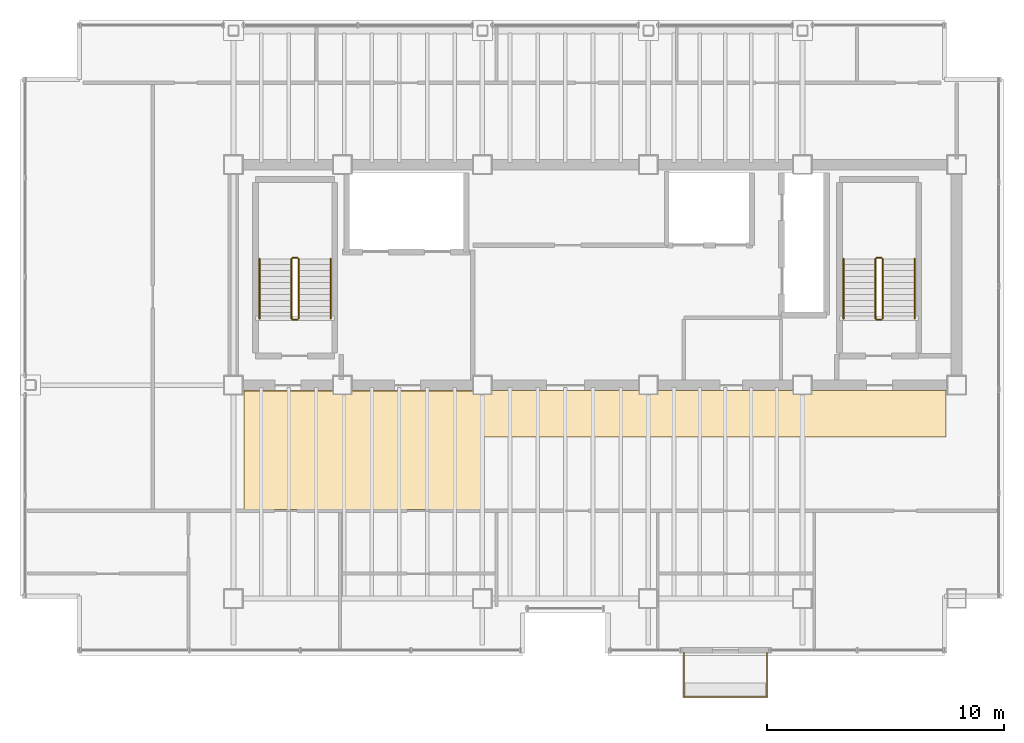
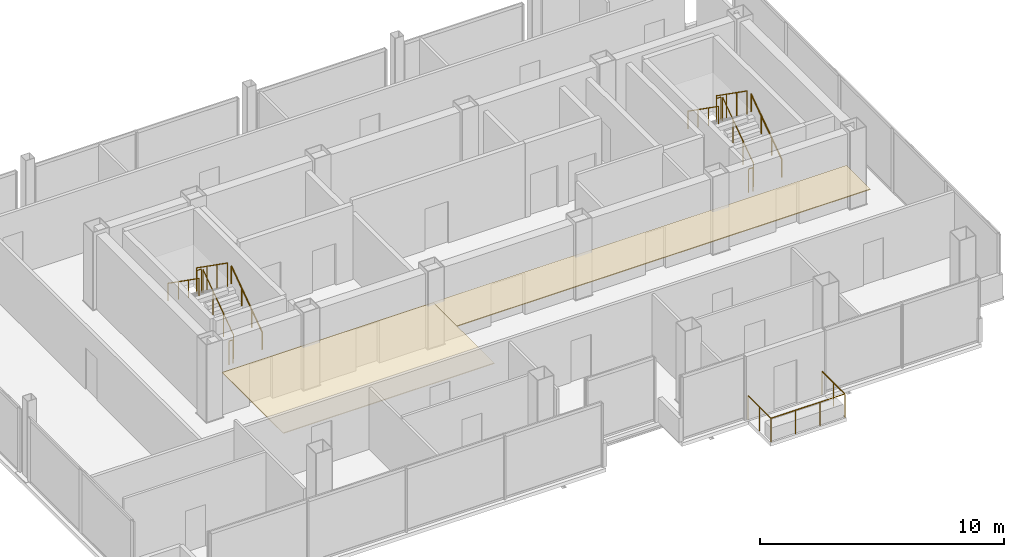
# One storey, part 17 of 17: 13 railings, 2 coverings.
"""IFC4 building model written with IfcOpenShell, lengths in metres."""

from ifc_helpers import new_model, si_unit, direction, frame, origin, origin_2d, place, context, subcontext, project, spatial, polyline, circle, outline, extrude, material, layer, layer_set, type_object, element, save


model = new_model("IFC4")

# Units and contexts
model_context = context("Model", 3, precision=1e-05, world=origin(), true_north=direction((0.0, 1.0)))
body_context = subcontext(model_context, "Body", "Model", "MODEL_VIEW")
ifc_project = project(units=[si_unit("LENGTHUNIT", "METRE"), si_unit("AREAUNIT", "SQUARE_METRE"), si_unit("VOLUMEUNIT", "CUBIC_METRE"), si_unit("PLANEANGLEUNIT", "RADIAN"), si_unit("MASSUNIT", "GRAM", prefix="KILO")], contexts=[model_context])

# Site, building, storey
site_placement = place(None, origin())
site = spatial("IfcSite", under=ifc_project, at=site_placement, CompositionType="ELEMENT")
building_placement = place(site_placement, origin())
building = spatial("IfcBuilding", under=site, at=building_placement, Name="Noeulbin Bourse Tower", CompositionType="ELEMENT")
storey_placement = place(building_placement, frame((0.0, 0.0, 265.699951171875)))
storey = spatial("IfcBuildingStorey", under=building, at=storey_placement, Name="L66", CompositionType="ELEMENT", Elevation=265.699951171875)

# Coverings
ifc_material_1 = material(Name="Perforated Mineral-Fibre Acoustic Tile")
ifc_layer_1 = layer(ifc_material_1, 0.0400390625)
ifc_layer_set_1 = layer_set([ifc_layer_1], Name="Perforated Mineral-Fibre Acoustic Tile")
covering_type_1 = type_object("IfcCoveringType", Name="COV-CEIL-ACT", PredefinedType="CEILING", material=ifc_layer_set_1)
covering_1_placement = place(storey_placement, frame((0.0, 0.0, 2.110107421875)))
element("IfcCovering", 1, at=covering_1_placement, inside=storey, type_object=covering_type_1, Name="Trading Suite Acoustic Ceiling L66", PredefinedType="CEILING", context=body_context, shape_type="SweptSolid", body=[
    extrude(outline(polyline([(13.949951171875, 23.75), (23.949951171875, 23.75), (23.949951171875, 28.75), (13.949951171875, 28.75), (13.949951171875, 23.75)])), origin(), (0.0, 0.0, 1.0), 0.0400390625),
])
ifc_material_2 = material(Name="Linear Anodised Aluminium Baffle Ceiling", Category="aluminium")
ifc_layer_2 = layer(ifc_material_2, 0.050048828125)
ifc_layer_set_2 = layer_set([ifc_layer_2], Name="Linear Anodised Aluminium Baffle Ceiling")
covering_type_2 = type_object("IfcCoveringType", Name="COV-CEIL-MTL", PredefinedType="CEILING", material=ifc_layer_set_2)
covering_2_placement = place(storey_placement, frame((0.0, 0.0, 2.110107421875)))
element("IfcCovering", 2, at=covering_2_placement, inside=storey, type_object=covering_type_2, Name="Corridor Suspended Ceiling L66", PredefinedType="CEILING", context=body_context, shape_type="SweptSolid", body=[
    extrude(outline(polyline([(13.949951171875, 26.820068359375), (43.550048828125, 26.820068359375), (43.550048828125, 28.780029296875), (13.949951171875, 28.780029296875), (13.949951171875, 26.820068359375)])), origin(), (0.0, 0.0, 1.0), 0.0400390625),
])

# Railings
ifc_material_3 = material(Name="Laminated SentryGlas and Stainless Steel 316", Category="steel")
ifc_layer_3 = layer(ifc_material_3, 0.06005859375)
ifc_layer_set_3 = layer_set([ifc_layer_3], Name="Laminated SentryGlas and Stainless Steel 316")
railing_type_1 = type_object("IfcRailingType", Name="RLG-BAL-1200", PredefinedType="BALUSTRADE", material=ifc_layer_set_3)
railing_1_placement = place(storey_placement, frame((32.5, 17.719970703125, 0.0)))
element("IfcRailing", 3, at=railing_1_placement, inside=storey, type_object=railing_type_1, Name="Tree-Balcony Glazed Balustrade L66", PredefinedType="BALUSTRADE", context=body_context, shape_type="SweptSolid", body=[
    extrude(circle(Radius=0.02392578125, at=origin_2d()), frame((0.0, 0.0, 1.17578125), z_axis=(0.0, -1.0, 0.0), x_axis=(1.0, 0.0, 0.0)), (0.0, 0.0, 1.0), 1.869873046875),
    extrude(circle(Radius=0.02392578125, at=origin_2d()), frame((0.0, -1.869873046875, 1.17578125), z_axis=(1.0, 0.0, 0.0), x_axis=(0.0, 1.0, 0.0)), (0.0, 0.0, 1.0), 3.5),
    extrude(circle(Radius=0.02392578125, at=origin_2d()), frame((3.5, -1.869873046875, 1.17578125), z_axis=(0.0, 1.0, 0.0), x_axis=(-1.0, 0.0, 0.0)), (0.0, 0.0, 1.0), 1.869873046875),
    extrude(circle(Radius=0.02099609375, at=origin_2d()), origin(), (0.0, 0.0, 1.0), 1.15185546875),
    extrude(circle(Radius=0.02099609375, at=origin_2d()), frame((0.0, -0.93505859375, 0.0)), (0.0, 0.0, 1.0), 1.15185546875),
    extrude(circle(Radius=0.02099609375, at=origin_2d()), frame((0.0, -1.869873046875, 0.0)), (0.0, 0.0, 1.0), 1.15185546875),
    extrude(circle(Radius=0.02099609375, at=origin_2d()), frame((1.166748046875, -1.869873046875, 0.0)), (0.0, 0.0, 1.0), 1.15185546875),
    extrude(circle(Radius=0.02099609375, at=origin_2d()), frame((2.333251953125, -1.869873046875, 0.0)), (0.0, 0.0, 1.0), 1.15185546875),
    extrude(circle(Radius=0.02099609375, at=origin_2d()), frame((3.5, -1.869873046875, 0.0)), (0.0, 0.0, 1.0), 1.15185546875),
    extrude(circle(Radius=0.02099609375, at=origin_2d()), frame((3.5, -0.93505859375, 0.0)), (0.0, 0.0, 1.0), 1.15185546875),
    extrude(circle(Radius=0.02099609375, at=origin_2d()), frame((3.5, 0.0, 0.0)), (0.0, 0.0, 1.0), 1.15185546875),
])
ifc_material_4 = material(Name="Painted Tubular Steel S355", Category="steel")
ifc_layer_4 = layer(ifc_material_4, 0.048095703125)
ifc_layer_set_4 = layer_set([ifc_layer_4], Name="Painted Tubular Steel S355")
railing_type_2 = type_object("IfcRailingType", Name="RLG-STR-GRD", PredefinedType="GUARDRAIL", material=ifc_layer_set_4)
railing_2_placement = place(storey_placement, frame((16.25, 31.81005859375, 0.17724609375)))
element("IfcRailing", 4, at=railing_2_placement, inside=storey, type_object=railing_type_2, Name="L66 ST-1 stair guard 1", PredefinedType="GUARDRAIL", context=body_context, shape_type="SweptSolid", body=[
    extrude(circle(Radius=0.02392578125, at=origin_2d()), frame((0.0, 0.0, 1.17578125), z_axis=(0.0, 0.817904474719, 0.575354039036), x_axis=(-1.0, 0.0, 0.0)), (0.0, 0.0, 1.0), 3.0810546875),
    extrude(circle(Radius=0.02099609375, at=origin_2d()), origin(), (0.0, 0.0, 1.0), 1.15185546875),
    extrude(circle(Radius=0.02099609375, at=origin_2d()), frame((0.0, 0.840087890625, 0.5908203125)), (0.0, 0.0, 1.0), 1.15185546875),
    extrude(circle(Radius=0.02099609375, at=origin_2d()), frame((0.0, 1.679931640625, 1.181884765625)), (0.0, 0.0, 1.0), 1.15185546875),
    extrude(circle(Radius=0.02099609375, at=origin_2d()), frame((0.0, 2.52001953125, 1.772705078125)), (0.0, 0.0, 1.0), 1.15185546875),
])
railing_3_placement = place(storey_placement, frame((16.199951171875, 34.3798828125, 1.949951171875)))
element("IfcRailing", 5, at=railing_3_placement, inside=storey, type_object=railing_type_2, Name="L66 ST-1 stair guard 2", PredefinedType="GUARDRAIL", context=body_context, shape_type="SweptSolid", body=[
    extrude(circle(Radius=0.02392578125, at=origin_2d()), frame((0.0, 0.0, 1.17578125), z_axis=(-1.0, 0.0, 0.0), x_axis=(0.0, -1.0, 0.0)), (0.0, 0.0, 1.0), 0.199951171875),
    extrude(circle(Radius=0.02099609375, at=origin_2d()), origin(), (0.0, 0.0, 1.0), 1.15185546875),
    extrude(circle(Radius=0.02099609375, at=origin_2d()), frame((-0.199951171875, 0.0, 0.0)), (0.0, 0.0, 1.0), 1.15185546875),
])
railing_4_placement = place(storey_placement, frame((15.949951171875, 34.330078125, 2.12744140625)))
element("IfcRailing", 6, at=railing_4_placement, inside=storey, type_object=railing_type_2, Name="L66 ST-1 stair guard 3", PredefinedType="GUARDRAIL", context=body_context, shape_type="SweptSolid", body=[
    extrude(circle(Radius=0.02392578125, at=origin_2d()), frame((0.0, 0.0, 1.17578125), z_axis=(0.0, -0.817904474719, 0.575354039036), x_axis=(1.0, 0.0, 0.0)), (0.0, 0.0, 1.0), 3.0810546875),
    extrude(circle(Radius=0.02099609375, at=origin_2d()), origin(), (0.0, 0.0, 1.0), 1.15185546875),
    extrude(circle(Radius=0.02099609375, at=origin_2d()), frame((0.0, -0.840087890625, 0.5908203125)), (0.0, 0.0, 1.0), 1.15185546875),
    extrude(circle(Radius=0.02099609375, at=origin_2d()), frame((0.0, -1.679931640625, 1.181884765625)), (0.0, 0.0, 1.0), 1.15185546875),
    extrude(circle(Radius=0.02099609375, at=origin_2d()), frame((0.0, -2.52001953125, 1.772705078125)), (0.0, 0.0, 1.0), 1.15185546875),
])
railing_5_placement = place(storey_placement, frame((16.199951171875, 31.760009765625, 0.0)))
element("IfcRailing", 7, at=railing_5_placement, inside=storey, type_object=railing_type_2, Name="L66 ST-1 stair guard 4", PredefinedType="GUARDRAIL", context=body_context, shape_type="SweptSolid", body=[
    extrude(circle(Radius=0.02392578125, at=origin_2d()), frame((0.0, 0.0, 1.17578125), z_axis=(-1.0, 0.0, 0.0), x_axis=(0.0, -1.0, 0.0)), (0.0, 0.0, 1.0), 0.199951171875),
    extrude(circle(Radius=0.02099609375, at=origin_2d()), origin(), (0.0, 0.0, 1.0), 1.15185546875),
    extrude(circle(Radius=0.02099609375, at=origin_2d()), frame((-0.199951171875, 0.0, 0.0)), (0.0, 0.0, 1.0), 1.15185546875),
])
railing_6_placement = place(storey_placement, frame((40.8798828125, 31.81005859375, 0.17724609375)))
element("IfcRailing", 8, at=railing_6_placement, inside=storey, type_object=railing_type_2, Name="L66 ST-2 stair guard 1", PredefinedType="GUARDRAIL", context=body_context, shape_type="SweptSolid", body=[
    extrude(circle(Radius=0.02392578125, at=origin_2d()), frame((0.0, 0.0, 1.17578125), z_axis=(0.0, 0.817904474719, 0.575354039036), x_axis=(-1.0, 0.0, 0.0)), (0.0, 0.0, 1.0), 3.0810546875),
    extrude(circle(Radius=0.02099609375, at=origin_2d()), origin(), (0.0, 0.0, 1.0), 1.15185546875),
    extrude(circle(Radius=0.02099609375, at=origin_2d()), frame((0.0, 0.840087890625, 0.5908203125)), (0.0, 0.0, 1.0), 1.15185546875),
    extrude(circle(Radius=0.02099609375, at=origin_2d()), frame((0.0, 1.679931640625, 1.181884765625)), (0.0, 0.0, 1.0), 1.15185546875),
    extrude(circle(Radius=0.02099609375, at=origin_2d()), frame((0.0, 2.52001953125, 1.772705078125)), (0.0, 0.0, 1.0), 1.15185546875),
])
railing_7_placement = place(storey_placement, frame((40.830078125, 34.3798828125, 1.949951171875)))
element("IfcRailing", 9, at=railing_7_placement, inside=storey, type_object=railing_type_2, Name="L66 ST-2 stair guard 2", PredefinedType="GUARDRAIL", context=body_context, shape_type="SweptSolid", body=[
    extrude(circle(Radius=0.02392578125, at=origin_2d()), frame((0.0, 0.0, 1.17578125), z_axis=(-1.0, 0.0, 0.0), x_axis=(0.0, -1.0, 0.0)), (0.0, 0.0, 1.0), 0.2001953125),
    extrude(circle(Radius=0.02099609375, at=origin_2d()), origin(), (0.0, 0.0, 1.0), 1.15185546875),
    extrude(circle(Radius=0.02099609375, at=origin_2d()), frame((-0.2001953125, 0.0, 0.0)), (0.0, 0.0, 1.0), 1.15185546875),
])
railing_8_placement = place(storey_placement, frame((40.580078125, 34.330078125, 2.12744140625)))
element("IfcRailing", 10, at=railing_8_placement, inside=storey, type_object=railing_type_2, Name="L66 ST-2 stair guard 3", PredefinedType="GUARDRAIL", context=body_context, shape_type="SweptSolid", body=[
    extrude(circle(Radius=0.02392578125, at=origin_2d()), frame((0.0, 0.0, 1.17578125), z_axis=(0.0, -0.817904474719, 0.575354039036), x_axis=(1.0, 0.0, 0.0)), (0.0, 0.0, 1.0), 3.0810546875),
    extrude(circle(Radius=0.02099609375, at=origin_2d()), origin(), (0.0, 0.0, 1.0), 1.15185546875),
    extrude(circle(Radius=0.02099609375, at=origin_2d()), frame((0.0, -0.840087890625, 0.5908203125)), (0.0, 0.0, 1.0), 1.15185546875),
    extrude(circle(Radius=0.02099609375, at=origin_2d()), frame((0.0, -1.679931640625, 1.181884765625)), (0.0, 0.0, 1.0), 1.15185546875),
    extrude(circle(Radius=0.02099609375, at=origin_2d()), frame((0.0, -2.52001953125, 1.772705078125)), (0.0, 0.0, 1.0), 1.15185546875),
])
railing_9_placement = place(storey_placement, frame((40.830078125, 31.760009765625, 0.0)))
element("IfcRailing", 11, at=railing_9_placement, inside=storey, type_object=railing_type_2, Name="L66 ST-2 stair guard 4", PredefinedType="GUARDRAIL", context=body_context, shape_type="SweptSolid", body=[
    extrude(circle(Radius=0.02392578125, at=origin_2d()), frame((0.0, 0.0, 1.17578125), z_axis=(-1.0, 0.0, 0.0), x_axis=(0.0, -1.0, 0.0)), (0.0, 0.0, 1.0), 0.2001953125),
    extrude(circle(Radius=0.02099609375, at=origin_2d()), origin(), (0.0, 0.0, 1.0), 1.15185546875),
    extrude(circle(Radius=0.02099609375, at=origin_2d()), frame((-0.2001953125, 0.0, 0.0)), (0.0, 0.0, 1.0), 1.15185546875),
])
ifc_material_5 = material(Name="Brushed Stainless Steel 316", Category="steel")
ifc_layer_5 = layer(ifc_material_5, 0.048095703125)
ifc_layer_set_5 = layer_set([ifc_layer_5], Name="Brushed Stainless Steel 316")
railing_type_3 = type_object("IfcRailingType", Name="RLG-STR-HND", PredefinedType="HANDRAIL", material=ifc_layer_set_5)
railing_10_placement = place(storey_placement, frame((17.60009765625, 31.81005859375, 0.17724609375)))
element("IfcRailing", 12, at=railing_10_placement, inside=storey, type_object=railing_type_3, Name="L66 ST-1 stair handrail 1", PredefinedType="HANDRAIL", context=body_context, shape_type="SweptSolid", body=[
    extrude(circle(Radius=0.02392578125, at=origin_2d()), frame((0.0, 0.0, 0.8759765625), z_axis=(0.0, 0.817904474719, 0.575354039036), x_axis=(-1.0, 0.0, 0.0)), (0.0, 0.0, 1.0), 3.0810546875),
    extrude(circle(Radius=0.02099609375, at=origin_2d()), origin(), (0.0, 0.0, 1.0), 0.851806640625),
    extrude(circle(Radius=0.02099609375, at=origin_2d()), frame((0.0, 0.840087890625, 0.5908203125)), (0.0, 0.0, 1.0), 0.851806640625),
    extrude(circle(Radius=0.02099609375, at=origin_2d()), frame((0.0, 1.679931640625, 1.181884765625)), (0.0, 0.0, 1.0), 0.851806640625),
    extrude(circle(Radius=0.02099609375, at=origin_2d()), frame((0.0, 2.52001953125, 1.772705078125)), (0.0, 0.0, 1.0), 0.851806640625),
])
railing_11_placement = place(storey_placement, frame((14.60009765625, 34.330078125, 2.12744140625)))
element("IfcRailing", 13, at=railing_11_placement, inside=storey, type_object=railing_type_3, Name="L66 ST-1 stair handrail 2", PredefinedType="HANDRAIL", context=body_context, shape_type="SweptSolid", body=[
    extrude(circle(Radius=0.02392578125, at=origin_2d()), frame((0.0, 0.0, 0.8759765625), z_axis=(0.0, -0.817904474719, 0.575354039036), x_axis=(1.0, 0.0, 0.0)), (0.0, 0.0, 1.0), 3.0810546875),
    extrude(circle(Radius=0.02099609375, at=origin_2d()), origin(), (0.0, 0.0, 1.0), 0.851806640625),
    extrude(circle(Radius=0.02099609375, at=origin_2d()), frame((0.0, -0.840087890625, 0.5908203125)), (0.0, 0.0, 1.0), 0.851806640625),
    extrude(circle(Radius=0.02099609375, at=origin_2d()), frame((0.0, -1.679931640625, 1.181884765625)), (0.0, 0.0, 1.0), 0.851806640625),
    extrude(circle(Radius=0.02099609375, at=origin_2d()), frame((0.0, -2.52001953125, 1.772705078125)), (0.0, 0.0, 1.0), 0.851806640625),
])
railing_12_placement = place(storey_placement, frame((42.22998046875, 31.81005859375, 0.17724609375)))
element("IfcRailing", 14, at=railing_12_placement, inside=storey, type_object=railing_type_3, Name="L66 ST-2 stair handrail 1", PredefinedType="HANDRAIL", context=body_context, shape_type="SweptSolid", body=[
    extrude(circle(Radius=0.02392578125, at=origin_2d()), frame((0.0, 0.0, 0.8759765625), z_axis=(0.0, 0.817904474719, 0.575354039036), x_axis=(-1.0, 0.0, 0.0)), (0.0, 0.0, 1.0), 3.0810546875),
    extrude(circle(Radius=0.02099609375, at=origin_2d()), origin(), (0.0, 0.0, 1.0), 0.851806640625),
    extrude(circle(Radius=0.02099609375, at=origin_2d()), frame((0.0, 0.840087890625, 0.5908203125)), (0.0, 0.0, 1.0), 0.851806640625),
    extrude(circle(Radius=0.02099609375, at=origin_2d()), frame((0.0, 1.679931640625, 1.181884765625)), (0.0, 0.0, 1.0), 0.851806640625),
    extrude(circle(Radius=0.02099609375, at=origin_2d()), frame((0.0, 2.52001953125, 1.772705078125)), (0.0, 0.0, 1.0), 0.851806640625),
])
railing_13_placement = place(storey_placement, frame((39.22998046875, 34.330078125, 2.12744140625)))
element("IfcRailing", 15, at=railing_13_placement, inside=storey, type_object=railing_type_3, Name="L66 ST-2 stair handrail 2", PredefinedType="HANDRAIL", context=body_context, shape_type="SweptSolid", body=[
    extrude(circle(Radius=0.02392578125, at=origin_2d()), frame((0.0, 0.0, 0.8759765625), z_axis=(0.0, -0.817904474719, 0.575354039036), x_axis=(1.0, 0.0, 0.0)), (0.0, 0.0, 1.0), 3.0810546875),
    extrude(circle(Radius=0.02099609375, at=origin_2d()), origin(), (0.0, 0.0, 1.0), 0.851806640625),
    extrude(circle(Radius=0.02099609375, at=origin_2d()), frame((0.0, -0.840087890625, 0.5908203125)), (0.0, 0.0, 1.0), 0.851806640625),
    extrude(circle(Radius=0.02099609375, at=origin_2d()), frame((0.0, -1.679931640625, 1.181884765625)), (0.0, 0.0, 1.0), 0.851806640625),
    extrude(circle(Radius=0.02099609375, at=origin_2d()), frame((0.0, -2.52001953125, 1.772705078125)), (0.0, 0.0, 1.0), 0.851806640625),
])

save(model, "model.ifc")
